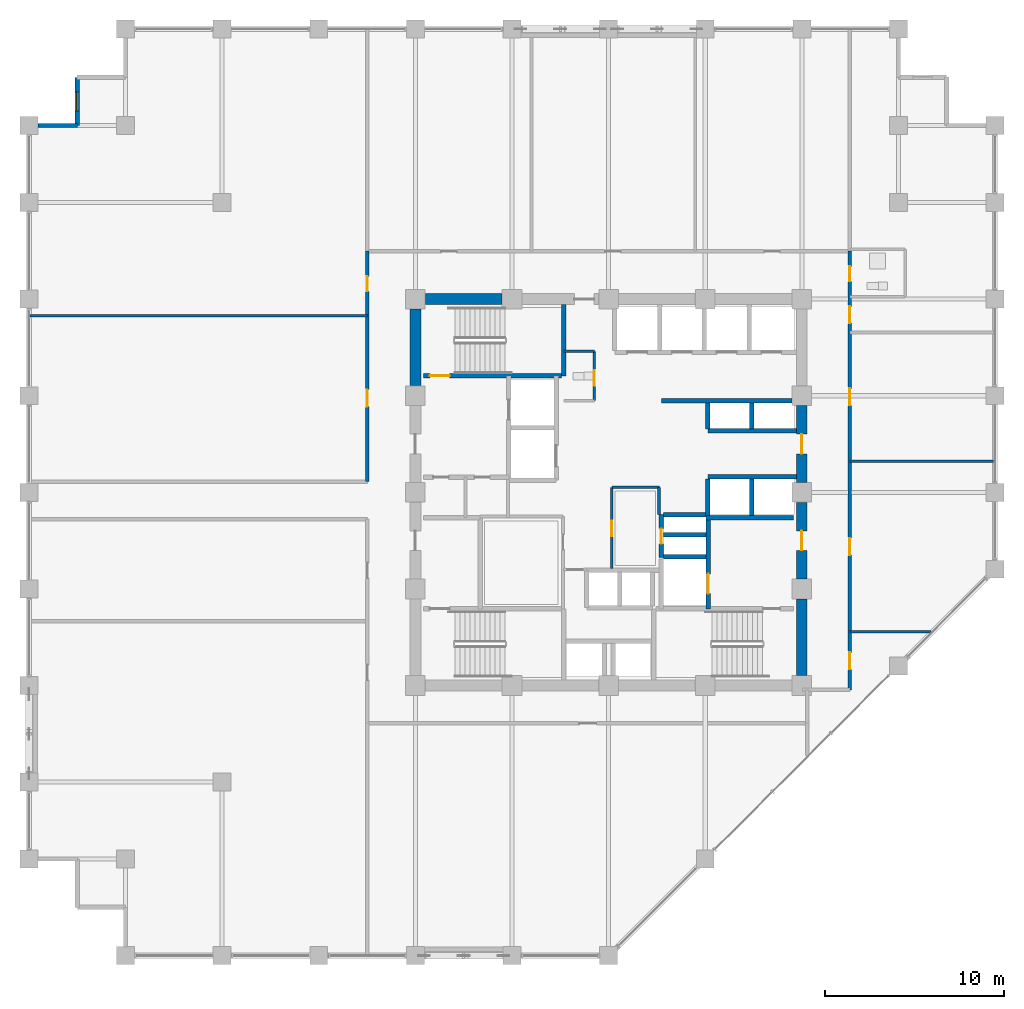
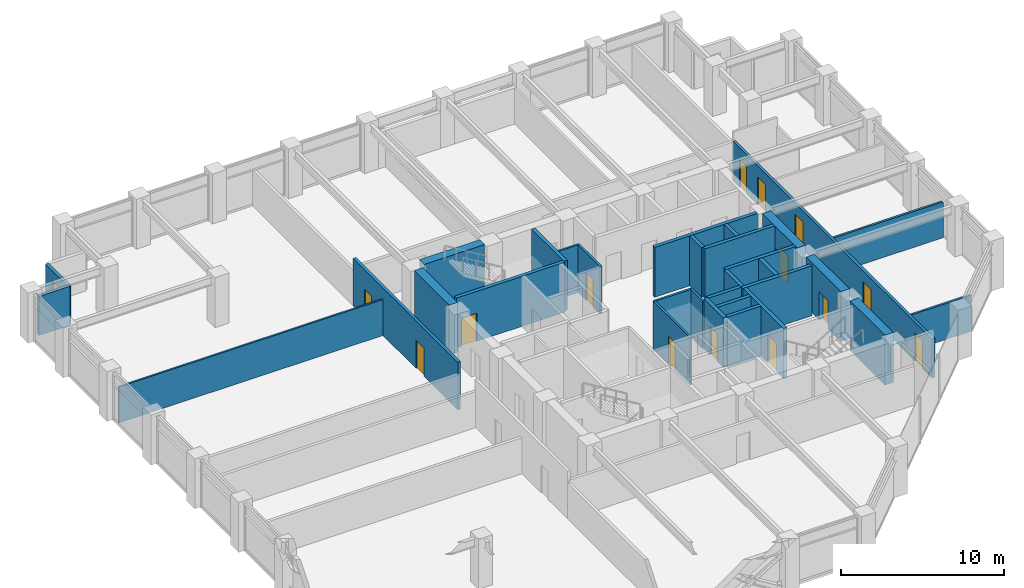
# One storey, part 20 of 23: 32 walls, 14 doors, 1 window, 15 openings.
"""IFC4 building model written with IfcOpenShell, lengths in metres."""

import ifcopenshell
import ifcopenshell.guid

model = None  # the IFC model being written
_history = None  # IfcOwnerHistory: only IFC2X3 demands one
_inside = {}  # id of a spatial element -> (the spatial element, [elements in it])
_under = {}  # id of a project, library or spatial element -> (it, [spatial elements below it])
_declared = {}  # id of a project -> (the project, [libraries it declares])
_typed = {}  # id of a type object -> (the type object, [elements of that type])
_made_of = {}  # id of a material, layer set ... -> (it, [elements and type objects made of it])


def new_model(schema):
    """Start an empty IFC model of exactly this schema.

    Asked for "IFC4X3", IfcOpenShell would pick the latest addendum, in which some entities
    have other attributes; the version numbers below select the first issue.
    IFC2X3 requires an IfcOwnerHistory on every rooted entity: one is made here for all.
    """
    global model, _history
    if schema == "IFC4X3":
        model = ifcopenshell.file(schema_version=(4, 3, 0, 0))
    else:
        model = ifcopenshell.file(schema=schema)
    _inside.clear()
    _under.clear()
    _declared.clear()
    _typed.clear()
    _made_of.clear()
    _history = None
    if model.schema == "IFC2X3":
        org = make("IfcOrganization", Name="unknown")
        user = make(
            "IfcPersonAndOrganization",
            ThePerson=make("IfcPerson", FamilyName="unknown"),
            TheOrganization=org,
        )
        app = make(
            "IfcApplication",
            ApplicationDeveloper=org,
            Version="unknown",
            ApplicationFullName="unknown",
            ApplicationIdentifier="unknown",
        )
        _history = make(
            "IfcOwnerHistory",
            OwningUser=user,
            OwningApplication=app,
            ChangeAction="ADDED",
            CreationDate=0,
        )
    return model


def make(cls, **values):
    """One entity of the class cls with the attributes given. An attribute that is None is left unset."""
    return model.create_entity(
        cls, **{name: value for name, value in values.items() if value is not None}
    )


def rooted(cls, **values):
    """An entity with a GlobalId (a new one), such as an element, a storey or a relation."""
    return make(cls, GlobalId=ifcopenshell.guid.new(), OwnerHistory=_history, **values)


def si_unit(unit_type, name, prefix=None):
    """IfcSIUnit, for example si_unit("LENGTHUNIT", "METRE", prefix="MILLI")."""
    return make("IfcSIUnit", UnitType=unit_type, Prefix=prefix, Name=name)


def assignment(units):
    """IfcUnitAssignment: the units of a project."""
    return None if units is None else make("IfcUnitAssignment", Units=units)


def point(xyz):
    """IfcCartesianPoint."""
    return None if xyz is None else make("IfcCartesianPoint", Coordinates=xyz)


def direction(xyz):
    """IfcDirection."""
    return None if xyz is None else make("IfcDirection", DirectionRatios=xyz)


def frame(location, z_axis=None, x_axis=None):
    """IfcAxis2Placement3D, a coordinate frame: its origin and axes. An axis left out is left unset."""
    return make(
        "IfcAxis2Placement3D",
        Location=point(location),
        Axis=direction(z_axis),
        RefDirection=direction(x_axis),
    )


def frame_2d(location, x_axis=None):
    """IfcAxis2Placement2D, a coordinate frame in the plane: its origin and x axis."""
    return make(
        "IfcAxis2Placement2D", Location=point(location), RefDirection=direction(x_axis)
    )


def origin():
    """The frame at (0, 0, 0) with its axes left unset."""
    return frame((0.0, 0.0, 0.0))


def place(relative_to, where):
    """IfcLocalPlacement: puts the frame where relative to a parent placement (None: the world)."""
    return make(
        "IfcLocalPlacement", PlacementRelTo=relative_to, RelativePlacement=where
    )


def context(
    kind, dimensions, precision=None, world=None, true_north=None, identifier=None
):
    """IfcGeometricRepresentationContext, for example the 3D "Model" context."""
    return make(
        "IfcGeometricRepresentationContext",
        ContextIdentifier=identifier,
        ContextType=kind,
        CoordinateSpaceDimension=dimensions,
        Precision=precision,
        WorldCoordinateSystem=world,
        TrueNorth=true_north,
    )


def subcontext(parent, identifier, kind, view, scale=None):
    """IfcGeometricRepresentationSubContext, for example "Body" below "Model"."""
    return make(
        "IfcGeometricRepresentationSubContext",
        ContextIdentifier=identifier,
        ContextType=kind,
        ParentContext=parent,
        TargetScale=scale,
        TargetView=view,
    )


def project(units=None, contexts=None):
    """IfcProject with its units and contexts."""
    return rooted(
        "IfcProject",
        Name="project",
        RepresentationContexts=contexts,
        UnitsInContext=assignment(units),
    )


def spatial(cls, under=None, at=None, **own):
    """A site, building, storey or space (cls), placed at a placement, below another one or the project."""
    s = rooted(cls, ObjectPlacement=at, **own)
    if under is not None:
        _under.setdefault(under.id(), (under, []))[1].append(s)
    return s


def profile(cls, at=None, kind="AREA", **sizes):
    """A parametric profile (cls). Its sizes go by their IFC names, for example OverallWidth=200.0."""
    return make(cls, ProfileType=kind, Position=at, **sizes)


def rectangle(**sizes):
    """IfcRectangleProfileDef."""
    return profile("IfcRectangleProfileDef", **sizes)


def extrude(swept, where, along, depth):
    """IfcExtrudedAreaSolid: the profile swept, set in the frame where, extruded along a direction by depth."""
    return make(
        "IfcExtrudedAreaSolid",
        SweptArea=swept,
        Position=where,
        ExtrudedDirection=direction(along),
        Depth=depth,
    )


def shape(context_of_items, identifier, shape_type, items):
    """IfcShapeRepresentation: the items that make up one representation, for example the "Body"."""
    return make(
        "IfcShapeRepresentation",
        ContextOfItems=context_of_items,
        RepresentationIdentifier=identifier,
        RepresentationType=shape_type,
        Items=items,
    )


def material(Name=None, Category=None):
    """IfcMaterial."""
    return make("IfcMaterial", Name=Name, Category=Category)


def layer(
    of_material, thickness, ventilated=None, Name=None, Category=None, Priority=None
):
    """IfcMaterialLayer: one layer of a wall or slab, of a material (None: an air gap)."""
    return make(
        "IfcMaterialLayer",
        Material=of_material,
        LayerThickness=thickness,
        IsVentilated=ventilated,
        Name=Name,
        Category=Category,
        Priority=Priority,
    )


def layer_set(layers, Name=None):
    """IfcMaterialLayerSet."""
    return make("IfcMaterialLayerSet", MaterialLayers=layers, LayerSetName=Name)


def made_of(thing, what):
    """Note that an element or type object is made of a material, layer set ...; save() writes the relation."""
    if what is not None:
        _made_of.setdefault(what.id(), (what, []))[1].append(thing)
    return thing


def type_object(cls, material=None, **own):
    """A type object (cls), such as IfcWallType, which elements share."""
    return made_of(rooted(cls, **own), material)


def element(
    cls,
    number,
    at=None,
    inside=None,
    cuts=None,
    type_object=None,
    material=None,
    context=None,
    identifier="Body",
    shape_type=None,
    held_by="IfcProductDefinitionShape",
    body=None,
    shapes=None,
    **own,
):
    """One element of the class cls, such as IfcWall. Its Tag is "e" and its number.

    at: its placement. inside: the storey or other place that contains it. cuts: it is an
    opening in that element (IfcRelVoidsElement). A single representation is given by context,
    identifier, shape_type and body (its items); several are given by shapes. held_by: the class
    of the entity that holds the representations. save() writes the other relations.
    """
    e = rooted(cls, Tag="e%d" % number, ObjectPlacement=at, **own)
    if body is not None:
        shapes = [shape(context, identifier, shape_type, body)]
    if shapes is not None:
        e.Representation = make(held_by, Representations=shapes)
    if inside is not None:
        _inside.setdefault(inside.id(), (inside, []))[1].append(e)
    if cuts is not None:
        rooted(
            "IfcRelVoidsElement", RelatingBuildingElement=cuts, RelatedOpeningElement=e
        )
    if type_object is not None:
        _typed.setdefault(type_object.id(), (type_object, []))[1].append(e)
    return made_of(e, material)


def fill(opening, filler):
    """IfcRelFillsElement: the door or window that sits in an opening."""
    return rooted(
        "IfcRelFillsElement",
        RelatingOpeningElement=opening,
        RelatedBuildingElement=filler,
    )


def aggregate(whole, parts):
    """IfcRelAggregates: a whole, such as a stair, and the parts it consists of."""
    return rooted("IfcRelAggregates", RelatingObject=whole, RelatedObjects=parts)


def save(model, path):
    """Write the relations noted so far, then the file.

    IfcRelAggregates (storeys below a building ...), IfcRelContainedInSpatialStructure (elements
    in a storey), IfcRelDefinesByType, IfcRelAssociatesMaterial and IfcRelDeclares: one each for
    every whole, place, type object, material and project.
    """
    for whole, parts in _under.values():
        aggregate(whole, parts)
    for where, things in _inside.values():
        rooted(
            "IfcRelContainedInSpatialStructure",
            RelatedElements=things,
            RelatingStructure=where,
        )
    for kind, things in _typed.values():
        rooted("IfcRelDefinesByType", RelatedObjects=things, RelatingType=kind)
    for what, things in _made_of.values():
        rooted("IfcRelAssociatesMaterial", RelatedObjects=things, RelatingMaterial=what)
    for by, libraries in _declared.values():
        rooted("IfcRelDeclares", RelatingContext=by, RelatedDefinitions=libraries)
    model.write(path)


model = new_model("IFC4")

# Units and contexts
model_context = context("Model", 3, precision=1e-05, world=origin(), true_north=direction((0.0, 1.0)))
body_context = subcontext(model_context, "Body", "Model", "MODEL_VIEW")
ifc_project = project(units=[si_unit("LENGTHUNIT", "METRE"), si_unit("AREAUNIT", "SQUARE_METRE"), si_unit("VOLUMEUNIT", "CUBIC_METRE"), si_unit("PLANEANGLEUNIT", "RADIAN"), si_unit("MASSUNIT", "GRAM", prefix="KILO")], contexts=[model_context])

# Site, building, storey
site_placement = place(None, origin())
site = spatial("IfcSite", under=ifc_project, at=site_placement, CompositionType="ELEMENT")
building_placement = place(site_placement, origin())
building = spatial("IfcBuilding", under=site, at=building_placement, Name="Surkhivell Harbour Commons", CompositionType="ELEMENT")
storey_placement = place(building_placement, frame((0.0, 0.0, 135.75)))
storey = spatial("IfcBuildingStorey", under=building, at=storey_placement, Name="L35", CompositionType="ELEMENT", Elevation=135.75)

# Walls
ifc_material_1 = material(Name="Concrete C60/75", Category="concrete")
ifc_layer_1 = layer(ifc_material_1, 0.60009765625)
ifc_layer_set_1 = layer_set([ifc_layer_1], Name="Concrete C60/75")
wall_type_1 = type_object("IfcWallType", Name="WAL-CORE-600", PredefinedType="SHEAR", material=ifc_layer_set_1)
for number, where, z_axis, x_axis, name in (
    (1, (-10.239990234375, 10.800048828125, 0.0), (0.0, 0.0, 1.0), (1.0, 0.0, 0.0), "L35 Core Shear Wall North 1"),
    (2, (10.800048828125, -10.239990234375, 0.0), (0.0, 0.0, 1.0), (0.0, 1.0, 0.0), "L35 Core Shear Wall East 1"),
):
    element("IfcWall", number, at=place(storey_placement, frame(where, z_axis=z_axis, x_axis=x_axis)), inside=storey, type_object=wall_type_1, Name=name, PredefinedType="SHEAR", context=body_context, shape_type="SweptSolid", body=[
        extrude(rectangle(XDim=4.280029296875, YDim=0.60009765625, at=frame_2d((2.14013671875, 0.0))), origin(), (0.0, 0.0, 1.0), 3.75),
    ])

# Wall, opening, door
wall_1_placement = place(storey_placement, frame((10.800048828125, -4.840087890625, 0.0), z_axis=(0.0, 0.0, 1.0), x_axis=(0.0, 1.0, 0.0)))
wall_1 = element("IfcWall", 3, at=wall_1_placement, inside=storey, type_object=wall_type_1, Name="L35 Core Shear Wall East 2", PredefinedType="SHEAR", context=body_context, shape_type="SweptSolid", body=[
    extrude(rectangle(XDim=4.280029296875, YDim=0.60009765625, at=frame_2d((2.14013671875, 0.0))), origin(), (0.0, 0.0, 1.0), 3.75),
])
opening_1_placement = place(wall_1_placement, frame((1.590087890625, 0.0, 0.0)))
opening_1 = element("IfcOpeningElement", 4, at=opening_1_placement, cuts=wall_1, Name="Opening ID-1", PredefinedType="OPENING", context=body_context, shape_type="SweptSolid", body=[
    extrude(rectangle(XDim=1.10009765625, YDim=2.10009765625, at=frame_2d((0.550048828125, 1.050048828125))), frame((0.0, 0.31005859375, 0.0), z_axis=(0.0, -1.0, 0.0), x_axis=(1.0, 0.0, 0.0)), (0.0, 0.0, 1.0), 0.6201171875),
])
ifc_material_2 = material(Name="Hardwood-veneered fire-rated door leaf", Category="wood")
door_type_1 = type_object("IfcDoorType", Name="DOR-FD120-1100", OperationType="NOTDEFINED", PredefinedType="DOOR", material=ifc_material_2)
door_1_placement = place(opening_1_placement, origin())
door_1 = element("IfcDoor", 5, at=door_1_placement, inside=storey, type_object=door_type_1, Name="L35 Firefighting Lobby 2 Corridor Door", OperationType="SINGLE_SWING_RIGHT", OverallHeight=2.10009765625, OverallWidth=1.10009765625, PredefinedType="DOOR", context=body_context, shape_type="SweptSolid", body=[
    extrude(rectangle(XDim=1.10009765625, YDim=2.10009765625, at=frame_2d((0.550048828125, 1.050048828125))), frame((0.0, 0.02490234375, 0.0), z_axis=(0.0, -1.0, 0.0), x_axis=(1.0, 0.0, 0.0)), (0.0, 0.0, 1.0), 0.050048828125),
])
fill(opening_1, door_1)

wall_2_placement = place(storey_placement, frame((10.800048828125, 0.56005859375, 0.0), z_axis=(0.0, 0.0, 1.0), x_axis=(0.0, 1.0, 0.0)))
wall_2 = element("IfcWall", 6, at=wall_2_placement, inside=storey, type_object=wall_type_1, Name="L35 Core Shear Wall East 3", PredefinedType="SHEAR", context=body_context, shape_type="SweptSolid", body=[
    extrude(rectangle(XDim=4.280029296875, YDim=0.60009765625, at=frame_2d((2.14013671875, 0.0))), origin(), (0.0, 0.0, 1.0), 3.75),
])
opening_2_placement = place(wall_2_placement, frame((1.590087890625, 0.0, 0.0)))
opening_2 = element("IfcOpeningElement", 7, at=opening_2_placement, cuts=wall_2, Name="Opening ID-2", PredefinedType="OPENING", context=body_context, shape_type="SweptSolid", body=[
    extrude(rectangle(XDim=1.10009765625, YDim=2.10009765625, at=frame_2d((0.550048828125, 1.050048828125))), frame((0.0, 0.31005859375, 0.0), z_axis=(0.0, -1.0, 0.0), x_axis=(1.0, 0.0, 0.0)), (0.0, 0.0, 1.0), 0.6201171875),
])
door_type_2 = type_object("IfcDoorType", Name="DOR-FD60-1100", OperationType="NOTDEFINED", PredefinedType="DOOR", material=ifc_material_2)
door_2_placement = place(opening_2_placement, origin())
door_2 = element("IfcDoor", 8, at=door_2_placement, inside=storey, type_object=door_type_2, Name="L35 Mid-Rise Lobby East Door", OperationType="SINGLE_SWING_LEFT", OverallHeight=2.10009765625, OverallWidth=1.10009765625, PredefinedType="DOOR", context=body_context, shape_type="SweptSolid", body=[
    extrude(rectangle(XDim=1.10009765625, YDim=2.10009765625, at=frame_2d((0.550048828125, 1.050048828125))), frame((0.0, 0.02490234375, 0.0), z_axis=(0.0, -1.0, 0.0), x_axis=(1.0, 0.0, 0.0)), (0.0, 0.0, 1.0), 0.050048828125),
])
fill(opening_2, door_2)

# Wall
wall_3_placement = place(storey_placement, frame((-10.800048828125, 5.9599609375, 0.0), z_axis=(0.0, 0.0, 1.0), x_axis=(0.0, 1.0, 0.0)))
element("IfcWall", 9, at=wall_3_placement, inside=storey, type_object=wall_type_1, Name="L35 Core Shear Wall West 4", PredefinedType="SHEAR", context=body_context, shape_type="SweptSolid", body=[
    extrude(rectangle(XDim=4.280029296875, YDim=0.60009765625, at=frame_2d((2.14013671875, 0.0))), origin(), (0.0, 0.0, 1.0), 3.75),
])

# Wall, opening, window
ifc_material_3 = material(Name="Bronze-ochre cassette precast concrete C45/55", Category="concrete")
ifc_layer_2 = layer(ifc_material_3, 0.239990234375)
ifc_layer_set_2 = layer_set([ifc_layer_2], Name="Bronze-ochre cassette precast concrete C45/55")
wall_type_2 = type_object("IfcWallType", Name="WAL-EXT-OCH240", PredefinedType="STANDARD", material=ifc_layer_set_2)
wall_4_placement = place(storey_placement, frame((-29.699951171875, 23.199951171875, 0.0), z_axis=(0.0, 0.0, 1.0), x_axis=(0.0, -1.0, 0.0)))
wall_4 = element("IfcWall", 10, at=wall_4_placement, inside=storey, type_object=wall_type_2, Name="L35 Serrated Corner Facade Wall 10", PredefinedType="STANDARD", context=body_context, shape_type="SweptSolid", body=[
    extrude(rectangle(XDim=2.699951171875, YDim=0.239990234375, at=frame_2d((1.35009765625, 0.0))), origin(), (0.0, 0.0, 1.0), 2.93310546875),
])
opening_3_placement = place(wall_4_placement, frame((0.824951171875, 0.0, 0.64990234375)))
opening_3 = element("IfcOpeningElement", 11, at=opening_3_placement, cuts=wall_4, Name="Opening WN-11", PredefinedType="OPENING", context=body_context, shape_type="SweptSolid", body=[
    extrude(rectangle(XDim=1.050048828125, YDim=1.5, at=frame_2d((0.52490234375, 0.75))), frame((0.0, 0.1298828125, 0.0), z_axis=(0.0, -1.0, 0.0), x_axis=(1.0, 0.0, 0.0)), (0.0, 0.0, 1.0), 0.260009765625),
])
ifc_material_4 = material(Name="Thermal-break aluminium frame and double low-E glazing", Category="aluminium")
window_type = type_object("IfcWindowType", Name="WIN-SER-1050x1500", PartitioningType="SINGLE_PANEL", PredefinedType="WINDOW", material=ifc_material_4)
window_placement = place(opening_3_placement, origin())
window = element("IfcWindow", 12, at=window_placement, inside=storey, type_object=window_type, Name="L35 Serrated Alcove Window 10", OverallHeight=1.5, OverallWidth=1.050048828125, PartitioningType="SINGLE_PANEL", PredefinedType="WINDOW", context=body_context, shape_type="SweptSolid", body=[
    extrude(rectangle(XDim=1.050048828125, YDim=1.5, at=frame_2d((0.52490234375, 0.75))), frame((0.0, 0.030029296875, 0.0), z_axis=(0.0, -1.0, 0.0), x_axis=(1.0, 0.0, 0.0)), (0.0, 0.0, 1.0), 0.06005859375),
])
fill(opening_3, window)

# Walls
wall_5_placement = place(storey_placement, frame((-29.699951171875, 20.5, 0.0), z_axis=(0.0, 0.0, 1.0), x_axis=(-1.0, 0.0, 0.0)))
element("IfcWall", 13, at=wall_5_placement, inside=storey, type_object=wall_type_2, Name="L35 Serrated Corner Facade Wall 11", PredefinedType="STANDARD", context=body_context, shape_type="SweptSolid", body=[
    extrude(rectangle(XDim=2.2021484375, YDim=0.239990234375, at=frame_2d((1.10107421875, 0.0))), origin(), (0.0, 0.0, 1.0), 2.93310546875),
])
ifc_material_5 = material(Name="Moisture-resistant acoustic stud partition", Category="other")
ifc_layer_3 = layer(ifc_material_5, 0.125)
ifc_layer_set_3 = layer_set([ifc_layer_3], Name="Moisture-resistant acoustic stud partition")
wall_type_3 = type_object("IfcWallType", Name="WAL-INT-125", PredefinedType="PARTITIONING", material=ifc_layer_set_3)
wall_6_placement = place(storey_placement, frame((-32.340087890625, 9.8701171875, 0.0), z_axis=(0.0, 0.0, 1.0), x_axis=(1.0, 0.0, 0.0)))
element("IfcWall", 14, at=wall_6_placement, inside=storey, type_object=wall_type_3, Name="L35 North-West Partition P1", PredefinedType="PARTITIONING", context=body_context, shape_type="SweptSolid", body=[
    extrude(rectangle(XDim=18.860107421875, YDim=0.125, at=frame_2d((9.43017578125, 0.0))), origin(), (0.0, 0.0, 1.0), 2.698974609375),
])

# Wall, opening, door
ifc_material_6 = material(Name="Twin-stud acoustic fireboard partition", Category="other")
ifc_layer_4 = layer(ifc_material_6, 0.14990234375)
ifc_layer_set_4 = layer_set([ifc_layer_4], Name="Twin-stud acoustic fireboard partition")
wall_type_4 = type_object("IfcWallType", Name="WAL-INT-150", PredefinedType="PARTITIONING", material=ifc_layer_set_4)
wall_7_placement = place(storey_placement, frame((-0.800048828125, 5.1201171875, 0.0), z_axis=(0.0, 0.0, 1.0), x_axis=(0.0, 1.0, 0.0)))
wall_7 = element("IfcWall", 15, at=wall_7_placement, inside=storey, type_object=wall_type_4, Name="L35 Core Accessible WC East Wall", PredefinedType="PARTITIONING", context=body_context, shape_type="SweptSolid", body=[
    extrude(rectangle(XDim=2.759765625, YDim=0.14990234375, at=frame_2d((1.3798828125, 0.0))), origin(), (0.0, 0.0, 1.0), 3.570068359375),
])
opening_4_placement = place(wall_7_placement, frame((0.85009765625, 0.0, 0.0)))
opening_4 = element("IfcOpeningElement", 16, at=opening_4_placement, cuts=wall_7, Name="Opening ID-6", PredefinedType="OPENING", context=body_context, shape_type="SweptSolid", body=[
    extrude(rectangle(XDim=0.85009765625, YDim=2.10009765625, at=frame_2d((0.425048828125, 1.050048828125))), frame((0.0, 0.0849609375, 0.0), z_axis=(0.0, -1.0, 0.0), x_axis=(1.0, 0.0, 0.0)), (0.0, 0.0, 1.0), 0.169921875),
])
door_type_3 = type_object("IfcDoorType", Name="DOR-FD30-850", OperationType="NOTDEFINED", PredefinedType="DOOR", material=ifc_material_2)
door_3_placement = place(opening_4_placement, origin())
door_3 = element("IfcDoor", 17, at=door_3_placement, inside=storey, type_object=door_type_3, Name="L35 Floor Accessible WC Door", OperationType="SINGLE_SWING_LEFT", OverallHeight=2.10009765625, OverallWidth=0.85009765625, PredefinedType="DOOR", context=body_context, shape_type="SweptSolid", body=[
    extrude(rectangle(XDim=0.85009765625, YDim=2.10009765625, at=frame_2d((0.425048828125, 1.050048828125))), frame((0.0, 0.02490234375, 0.0), z_axis=(0.0, -1.0, 0.0), x_axis=(1.0, 0.0, 0.0)), (0.0, 0.0, 1.0), 0.050048828125),
])
fill(opening_4, door_3)

# Walls
wall_8_placement = place(storey_placement, frame((-2.47998046875, 7.8798828125, 0.0), z_axis=(0.0, 0.0, 1.0), x_axis=(1.0, 0.0, 0.0)))
element("IfcWall", 18, at=wall_8_placement, inside=storey, type_object=wall_type_4, Name="L35 Core Accessible WC North Wall", PredefinedType="PARTITIONING", context=body_context, shape_type="SweptSolid", body=[
    extrude(rectangle(XDim=1.679931640625, YDim=0.14990234375, at=frame_2d((0.83984375, 0.0))), origin(), (0.0, 0.0, 1.0), 3.570068359375),
])
wall_9_placement = place(storey_placement, frame((2.820068359375, -1.25, 0.0), z_axis=(0.0, 0.0, 1.0), x_axis=(0.0, 1.0, 0.0)))
element("IfcWall", 19, at=wall_9_placement, inside=storey, type_object=wall_type_4, Name="L35 Central Music East Wall", PredefinedType="PARTITIONING", context=body_context, shape_type="SweptSolid", body=[
    extrude(rectangle(XDim=1.530029296875, YDim=0.14990234375, at=frame_2d((0.76513671875, 0.0))), origin(), (0.0, 0.0, 1.0), 3.570068359375),
])
wall_10_placement = place(storey_placement, frame((0.179931640625, 0.280029296875, 0.0), z_axis=(0.0, 0.0, 1.0), x_axis=(1.0, 0.0, 0.0)))
element("IfcWall", 20, at=wall_10_placement, inside=storey, type_object=wall_type_4, Name="L35 Central Music North Wall", PredefinedType="PARTITIONING", context=body_context, shape_type="SweptSolid", body=[
    extrude(rectangle(XDim=2.670166015625, YDim=0.14990234375, at=frame_2d((1.3349609375, 0.0))), origin(), (0.0, 0.0, 1.0), 3.570068359375),
])

# Wall, opening, door
wall_11_placement = place(storey_placement, frame((0.179931640625, -4.25, 0.0), z_axis=(0.0, 0.0, 1.0), x_axis=(0.0, 1.0, 0.0)))
wall_11 = element("IfcWall", 21, at=wall_11_placement, inside=storey, type_object=wall_type_4, Name="L35 Central Music West Wall", PredefinedType="PARTITIONING", context=body_context, shape_type="SweptSolid", body=[
    extrude(rectangle(XDim=4.530029296875, YDim=0.14990234375, at=frame_2d((2.26513671875, 0.0))), origin(), (0.0, 0.0, 1.0), 3.570068359375),
])
opening_5_placement = place(wall_11_placement, frame((1.800048828125, 0.0, 0.0)))
opening_5 = element("IfcOpeningElement", 22, at=opening_5_placement, cuts=wall_11, Name="Opening ID-6", PredefinedType="OPENING", context=body_context, shape_type="SweptSolid", body=[
    extrude(rectangle(XDim=0.85009765625, YDim=2.10009765625, at=frame_2d((0.425048828125, 1.050048828125))), frame((0.0, 0.0849609375, 0.0), z_axis=(0.0, -1.0, 0.0), x_axis=(1.0, 0.0, 0.0)), (0.0, 0.0, 1.0), 0.169921875),
])
door_4_placement = place(opening_5_placement, origin())
door_4 = element("IfcDoor", 23, at=door_4_placement, inside=storey, type_object=door_type_3, Name="L35 Central Music Door", OperationType="SINGLE_SWING_RIGHT", OverallHeight=2.10009765625, OverallWidth=0.85009765625, PredefinedType="DOOR", context=body_context, shape_type="SweptSolid", body=[
    extrude(rectangle(XDim=0.85009765625, YDim=2.10009765625, at=frame_2d((0.425048828125, 1.050048828125))), frame((0.0, 0.02490234375, 0.0), z_axis=(0.0, -1.0, 0.0), x_axis=(1.0, 0.0, 0.0)), (0.0, 0.0, 1.0), 0.050048828125),
])
fill(opening_5, door_4)

# Walls
wall_12_placement = place(storey_placement, frame((13.47998046875, 1.739990234375, 0.0), z_axis=(0.0, 0.0, 1.0), x_axis=(1.0, 0.0, 0.0)))
element("IfcWall", 24, at=wall_12_placement, inside=storey, type_object=wall_type_4, Name="L35 East Partition BDP1", PredefinedType="PARTITIONING", context=body_context, shape_type="SweptSolid", body=[
    extrude(rectangle(XDim=8.06005859375, YDim=0.14990234375, at=frame_2d((4.030029296875, 0.0))), origin(), (0.0, 0.0, 1.0), 2.698974609375),
])
wall_13_placement = place(storey_placement, frame((13.47998046875, -7.800048828125, 0.0), z_axis=(0.0, 0.0, 1.0), x_axis=(1.0, 0.0, 0.0)))
element("IfcWall", 25, at=wall_13_placement, inside=storey, type_object=wall_type_4, Name="L35 East Partition PBOT", PredefinedType="PARTITIONING", context=body_context, shape_type="SweptSolid", body=[
    extrude(rectangle(XDim=4.53515625, YDim=0.14990234375, at=frame_2d((2.267578125, 0.0))), origin(), (0.0, 0.0, 1.0), 2.698974609375),
])

# Wall, openings, doors
ifc_material_7 = material(Name="Autoclaved aerated concrete blockwork and fire plaster", Category="masonry")
ifc_layer_5 = layer(ifc_material_7, 0.199951171875)
ifc_layer_set_5 = layer_set([ifc_layer_5], Name="Autoclaved aerated concrete blockwork and fire plaster")
wall_type_5 = type_object("IfcWallType", Name="WAL-INT-200", PredefinedType="PARTITIONING", material=ifc_layer_set_5)
wall_14_placement = place(storey_placement, frame((13.47998046875, -11.0400390625, 0.0), z_axis=(0.0, 0.0, 1.0), x_axis=(0.0, 1.0, 0.0)))
wall_14 = element("IfcWall", 26, at=wall_14_placement, inside=storey, type_object=wall_type_5, Name="L35 Corridor East Wall", PredefinedType="PARTITIONING", context=body_context, shape_type="SweptSolid", body=[
    extrude(rectangle(XDim=24.52001953125, YDim=0.199951171875, at=frame_2d((12.260009765625, 0.0))), origin(), (0.0, 0.0, 1.0), 2.93310546875),
])
opening_6_placement = place(wall_14_placement, frame((1.139892578125, 0.0, 0.0)))
opening_6 = element("IfcOpeningElement", 27, at=opening_6_placement, cuts=wall_14, Name="Opening ID-4", PredefinedType="OPENING", context=body_context, shape_type="SweptSolid", body=[
    extrude(rectangle(XDim=0.949951171875, YDim=2.10009765625, at=frame_2d((0.47509765625, 1.050048828125))), frame((0.0, 0.10986328125, 0.0), z_axis=(0.0, -1.0, 0.0), x_axis=(1.0, 0.0, 0.0)), (0.0, 0.0, 1.0), 0.219970703125),
])
opening_7_placement = place(wall_14_placement, frame((22.824951171875, 0.0, 0.0)))
opening_7 = element("IfcOpeningElement", 28, at=opening_7_placement, cuts=wall_14, Name="Opening ID-6", PredefinedType="OPENING", context=body_context, shape_type="SweptSolid", body=[
    extrude(rectangle(XDim=0.85009765625, YDim=2.10009765625, at=frame_2d((0.425048828125, 1.050048828125))), frame((0.0, 0.10986328125, 0.0), z_axis=(0.0, -1.0, 0.0), x_axis=(1.0, 0.0, 0.0)), (0.0, 0.0, 1.0), 0.219970703125),
])
opening_8_placement = place(wall_14_placement, frame((20.489990234375, 0.0, 0.0)))
opening_8 = element("IfcOpeningElement", 29, at=opening_8_placement, cuts=wall_14, Name="Opening ID-4", PredefinedType="OPENING", context=body_context, shape_type="SweptSolid", body=[
    extrude(rectangle(XDim=0.949951171875, YDim=2.10009765625, at=frame_2d((0.47509765625, 1.050048828125))), frame((0.0, 0.10986328125, 0.0), z_axis=(0.0, -1.0, 0.0), x_axis=(1.0, 0.0, 0.0)), (0.0, 0.0, 1.0), 0.219970703125),
])
opening_9_placement = place(wall_14_placement, frame((7.530029296875, 0.0, 0.0)))
opening_9 = element("IfcOpeningElement", 30, at=opening_9_placement, cuts=wall_14, Name="Opening ID-4", PredefinedType="OPENING", context=body_context, shape_type="SweptSolid", body=[
    extrude(rectangle(XDim=0.949951171875, YDim=2.10009765625, at=frame_2d((0.47509765625, 1.050048828125))), frame((0.0, 0.10986328125, 0.0), z_axis=(0.0, -1.0, 0.0), x_axis=(1.0, 0.0, 0.0)), (0.0, 0.0, 1.0), 0.219970703125),
])
opening_10_placement = place(wall_14_placement, frame((15.89501953125, 0.0, 0.0)))
opening_10 = element("IfcOpeningElement", 31, at=opening_10_placement, cuts=wall_14, Name="Opening ID-4", PredefinedType="OPENING", context=body_context, shape_type="SweptSolid", body=[
    extrude(rectangle(XDim=0.949951171875, YDim=2.10009765625, at=frame_2d((0.47509765625, 1.050048828125))), frame((0.0, 0.10986328125, 0.0), z_axis=(0.0, -1.0, 0.0), x_axis=(1.0, 0.0, 0.0)), (0.0, 0.0, 1.0), 0.219970703125),
])
door_5_placement = place(opening_7_placement, origin())
door_5 = element("IfcDoor", 32, at=door_5_placement, inside=storey, type_object=door_type_3, Name="L35 Communal Shower Bathroom East Door", OperationType="SINGLE_SWING_LEFT", OverallHeight=2.10009765625, OverallWidth=0.85009765625, PredefinedType="DOOR", context=body_context, shape_type="SweptSolid", body=[
    extrude(rectangle(XDim=0.85009765625, YDim=2.10009765625, at=frame_2d((0.425048828125, 1.050048828125))), frame((0.0, 0.02490234375, 0.0), z_axis=(0.0, -1.0, 0.0), x_axis=(1.0, 0.0, 0.0)), (0.0, 0.0, 1.0), 0.050048828125),
])
fill(opening_7, door_5)
door_type_4 = type_object("IfcDoorType", Name="DOR-FD60-950", OperationType="NOTDEFINED", PredefinedType="DOOR", material=ifc_material_2)
door_6_placement = place(opening_6_placement, origin())
door_6 = element("IfcDoor", 33, at=door_6_placement, inside=storey, type_object=door_type_4, Name="L35 Shared Communal Kitchen East Door", OperationType="SINGLE_SWING_RIGHT", OverallHeight=2.10009765625, OverallWidth=0.949951171875, PredefinedType="DOOR", context=body_context, shape_type="SweptSolid", body=[
    extrude(rectangle(XDim=0.949951171875, YDim=2.10009765625, at=frame_2d((0.47509765625, 1.050048828125))), frame((0.0, 0.02490234375, 0.0), z_axis=(0.0, -1.0, 0.0), x_axis=(1.0, 0.0, 0.0)), (0.0, 0.0, 1.0), 0.050048828125),
])
fill(opening_6, door_6)
door_7_placement = place(opening_8_placement, origin())
door_7 = element("IfcDoor", 34, at=door_7_placement, inside=storey, type_object=door_type_4, Name="L35 Academic Reading Commons East Door", OperationType="SINGLE_SWING_RIGHT", OverallHeight=2.10009765625, OverallWidth=0.949951171875, PredefinedType="DOOR", context=body_context, shape_type="SweptSolid", body=[
    extrude(rectangle(XDim=0.949951171875, YDim=2.10009765625, at=frame_2d((0.47509765625, 1.050048828125))), frame((0.0, 0.02490234375, 0.0), z_axis=(0.0, -1.0, 0.0), x_axis=(1.0, 0.0, 0.0)), (0.0, 0.0, 1.0), 0.050048828125),
])
fill(opening_8, door_7)
door_8_placement = place(opening_9_placement, origin())
door_8 = element("IfcDoor", 35, at=door_8_placement, inside=storey, type_object=door_type_4, Name="L35 Hostel Cluster Bedroom 1 East Door", OperationType="SINGLE_SWING_LEFT", OverallHeight=2.10009765625, OverallWidth=0.949951171875, PredefinedType="DOOR", context=body_context, shape_type="SweptSolid", body=[
    extrude(rectangle(XDim=0.949951171875, YDim=2.10009765625, at=frame_2d((0.47509765625, 1.050048828125))), frame((0.0, 0.02490234375, 0.0), z_axis=(0.0, -1.0, 0.0), x_axis=(1.0, 0.0, 0.0)), (0.0, 0.0, 1.0), 0.050048828125),
])
fill(opening_9, door_8)
door_9_placement = place(opening_10_placement, origin())
door_9 = element("IfcDoor", 36, at=door_9_placement, inside=storey, type_object=door_type_4, Name="L35 Co-Living Dormitory Bedroom 2 East Door", OperationType="SINGLE_SWING_RIGHT", OverallHeight=2.10009765625, OverallWidth=0.949951171875, PredefinedType="DOOR", context=body_context, shape_type="SweptSolid", body=[
    extrude(rectangle(XDim=0.949951171875, YDim=2.10009765625, at=frame_2d((0.47509765625, 1.050048828125))), frame((0.0, 0.02490234375, 0.0), z_axis=(0.0, -1.0, 0.0), x_axis=(1.0, 0.0, 0.0)), (0.0, 0.0, 1.0), 0.050048828125),
])
fill(opening_10, door_9)

wall_15_placement = place(storey_placement, frame((-13.47998046875, 0.60009765625, 0.0), z_axis=(0.0, 0.0, 1.0), x_axis=(0.0, 1.0, 0.0)))
wall_15 = element("IfcWall", 37, at=wall_15_placement, inside=storey, type_object=wall_type_5, Name="L35 Corridor West-Upper Wall", PredefinedType="PARTITIONING", context=body_context, shape_type="SweptSolid", body=[
    extrude(rectangle(XDim=12.8798828125, YDim=0.199951171875, at=frame_2d((6.43994140625, 0.0))), origin(), (0.0, 0.0, 1.0), 3.570068359375),
])
opening_11_placement = place(wall_15_placement, frame((4.18505859375, 0.0, 0.0)))
opening_11 = element("IfcOpeningElement", 38, at=opening_11_placement, cuts=wall_15, Name="Opening ID-4", PredefinedType="OPENING", context=body_context, shape_type="SweptSolid", body=[
    extrude(rectangle(XDim=0.949951171875, YDim=2.10009765625, at=frame_2d((0.47509765625, 1.050048828125))), frame((0.0, 0.10986328125, 0.0), z_axis=(0.0, -1.0, 0.0), x_axis=(1.0, 0.0, 0.0)), (0.0, 0.0, 1.0), 0.219970703125),
])
opening_12_placement = place(wall_15_placement, frame((10.625, 0.0, 0.0)))
opening_12 = element("IfcOpeningElement", 39, at=opening_12_placement, cuts=wall_15, Name="Opening ID-6", PredefinedType="OPENING", context=body_context, shape_type="SweptSolid", body=[
    extrude(rectangle(XDim=0.85009765625, YDim=2.10009765625, at=frame_2d((0.425048828125, 1.050048828125))), frame((0.0, 0.10986328125, 0.0), z_axis=(0.0, -1.0, 0.0), x_axis=(1.0, 0.0, 0.0)), (0.0, 0.0, 1.0), 0.219970703125),
])
door_10_placement = place(opening_12_placement, origin())
door_10 = element("IfcDoor", 40, at=door_10_placement, inside=storey, type_object=door_type_3, Name="L35 Resident Advisory Reception Desk North-West Door", OperationType="SINGLE_SWING_RIGHT", OverallHeight=2.10009765625, OverallWidth=0.85009765625, PredefinedType="DOOR", context=body_context, shape_type="SweptSolid", body=[
    extrude(rectangle(XDim=0.85009765625, YDim=2.10009765625, at=frame_2d((0.425048828125, 1.050048828125))), frame((0.0, 0.02490234375, 0.0), z_axis=(0.0, -1.0, 0.0), x_axis=(1.0, 0.0, 0.0)), (0.0, 0.0, 1.0), 0.050048828125),
])
fill(opening_12, door_10)
door_11_placement = place(opening_11_placement, origin())
door_11 = element("IfcDoor", 41, at=door_11_placement, inside=storey, type_object=door_type_4, Name="L35 Zone Concierge Reception Foyer North-West Door", OperationType="SINGLE_SWING_LEFT", OverallHeight=2.10009765625, OverallWidth=0.949951171875, PredefinedType="DOOR", context=body_context, shape_type="SweptSolid", body=[
    extrude(rectangle(XDim=0.949951171875, YDim=2.10009765625, at=frame_2d((0.47509765625, 1.050048828125))), frame((0.0, 0.02490234375, 0.0), z_axis=(0.0, -1.0, 0.0), x_axis=(1.0, 0.0, 0.0)), (0.0, 0.0, 1.0), 0.050048828125),
])
fill(opening_11, door_11)

# Walls
ifc_material_8 = material(Name="Concrete C50/60", Category="concrete")
ifc_layer_6 = layer(ifc_material_8, 0.25)
ifc_layer_set_6 = layer_set([ifc_layer_6], Name="Concrete C50/60")
wall_type_6 = type_object("IfcWallType", Name="WAL-SHAFT-250", PredefinedType="SHEAR", material=ifc_layer_set_6)
wall_16_placement = place(storey_placement, frame((5.43994140625, -1.419921875, 0.0), z_axis=(0.0, 0.0, 1.0), x_axis=(1.0, 0.0, 0.0)))
element("IfcWall", 42, at=wall_16_placement, inside=storey, type_object=wall_type_6, Name="L35 Firefighting Lobby 2 North Wall", PredefinedType="SHEAR", context=body_context, shape_type="SweptSolid", body=[
    extrude(rectangle(XDim=4.900146484375, YDim=0.25, at=frame_2d((2.4501953125, 0.0))), origin(), (0.0, 0.0, 1.0), 3.75),
])
wall_17_placement = place(storey_placement, frame((3.080078125, -3.60009765625, 0.0), z_axis=(0.0, 0.0, 1.0), x_axis=(1.0, 0.0, 0.0)))
element("IfcWall", 43, at=wall_17_placement, inside=storey, type_object=wall_type_6, Name="L35 FFL2 North Shaft Wall", PredefinedType="SHEAR", context=body_context, shape_type="SweptSolid", body=[
    extrude(rectangle(XDim=2.369873046875, YDim=0.25, at=frame_2d((1.18505859375, 0.0))), origin(), (0.0, 0.0, 1.0), 3.75),
])

# Wall, opening, door
wall_18_placement = place(storey_placement, frame((5.580078125, -6.510009765625, 0.0), z_axis=(0.0, 0.0, 1.0), x_axis=(0.0, 1.0, 0.0)))
wall_18 = element("IfcWall", 44, at=wall_18_placement, inside=storey, type_object=wall_type_6, Name="L35 Firefighting Lobby 2 West Shaft Wall", PredefinedType="SHEAR", context=body_context, shape_type="SweptSolid", body=[
    extrude(rectangle(XDim=5.090087890625, YDim=0.25, at=frame_2d((2.544921875, 0.0))), origin(), (0.0, 0.0, 1.0), 3.75),
])
opening_13_placement = place(wall_18_placement, frame((0.85009765625, 0.0, 0.0)))
opening_13 = element("IfcOpeningElement", 45, at=opening_13_placement, cuts=wall_18, Name="Opening LD-1", PredefinedType="OPENING", context=body_context, shape_type="SweptSolid", body=[
    extrude(rectangle(XDim=1.10009765625, YDim=2.10009765625, at=frame_2d((0.550048828125, 1.050048828125))), frame((0.0, 0.135009765625, 0.0), z_axis=(0.0, -1.0, 0.0), x_axis=(1.0, 0.0, 0.0)), (0.0, 0.0, 1.0), 0.27001953125),
])
ifc_material_9 = material(Name="Brushed stainless steel S355", Category="steel")
door_type_5 = type_object("IfcDoorType", Name="DOR-LD-1100", OperationType="SLIDING_TO_LEFT", PredefinedType="DOOR", material=ifc_material_9)
door_12_placement = place(opening_13_placement, origin())
door_12 = element("IfcDoor", 46, at=door_12_placement, inside=storey, type_object=door_type_5, Name="L35 Lift Landing Door LD-FFL2", OperationType="SLIDING_TO_RIGHT", OverallHeight=2.10009765625, OverallWidth=1.10009765625, PredefinedType="DOOR", context=body_context, shape_type="SweptSolid", body=[
    extrude(rectangle(XDim=1.10009765625, YDim=2.10009765625, at=frame_2d((0.550048828125, 1.050048828125))), frame((0.0, 0.02490234375, 0.0), z_axis=(0.0, -1.0, 0.0), x_axis=(1.0, 0.0, 0.0)), (0.0, 0.0, 1.0), 0.050048828125),
])
fill(opening_13, door_12)

# Walls
wall_19_placement = place(storey_placement, frame((2.949951171875, 5.1201171875, 0.0), z_axis=(0.0, 0.0, 1.0), x_axis=(1.0, 0.0, 0.0)))
element("IfcWall", 47, at=wall_19_placement, inside=storey, type_object=wall_type_6, Name="L35 Low-Rise Lobby South Wall", PredefinedType="SHEAR", context=body_context, shape_type="SweptSolid", body=[
    extrude(rectangle(XDim=7.300048828125, YDim=0.25, at=frame_2d((3.64990234375, 0.0))), origin(), (0.0, 0.0, 1.0), 3.75),
])
for number, where, z_axis, x_axis, name in (
    (48, (5.550048828125, 3.550048828125, 0.0), (0.0, 0.0, 1.0), (0.0, 1.0, 0.0), "L35 Mid-Rise Shaft Side Wall N"),
    (49, (8.0, 3.550048828125, 0.0), (0.0, 0.0, 1.0), (0.0, 1.0, 0.0), "L35 Mid-Rise Shaft Side Wall N"),
):
    element("IfcWall", number, at=place(storey_placement, frame(where, z_axis=z_axis, x_axis=x_axis)), inside=storey, type_object=wall_type_6, Name=name, PredefinedType="SHEAR", context=body_context, shape_type="SweptSolid", body=[
        extrude(rectangle(XDim=1.449951171875, YDim=0.25, at=frame_2d((0.72509765625, 0.0))), origin(), (0.0, 0.0, 1.0), 3.75),
    ])
for number, where, z_axis, x_axis, name in (
    (50, (5.550048828125, -1.300048828125, 0.0), (0.0, 0.0, 1.0), (0.0, 1.0, 0.0), "L35 Mid-Rise Shaft Side Wall S"),
    (51, (8.0, -1.300048828125, 0.0), (0.0, 0.0, 1.0), (0.0, 1.0, 0.0), "L35 Mid-Rise Shaft Side Wall S"),
):
    element("IfcWall", number, at=place(storey_placement, frame(where, z_axis=z_axis, x_axis=x_axis)), inside=storey, type_object=wall_type_6, Name=name, PredefinedType="SHEAR", context=body_context, shape_type="SweptSolid", body=[
        extrude(rectangle(XDim=2.0400390625, YDim=0.25, at=frame_2d((1.02001953125, 0.0))), origin(), (0.0, 0.0, 1.0), 3.75),
    ])
for number, where, z_axis, x_axis, name in (
    (52, (5.550048828125, 3.429931640625, 0.0), (0.0, 0.0, 1.0), (1.0, 0.0, 0.0), "L35 Mid-Rise North Front Shaft Wall"),
    (53, (5.550048828125, 0.8701171875, 0.0), (0.0, 0.0, 1.0), (1.0, 0.0, 0.0), "L35 Mid-Rise South Front Shaft Wall"),
):
    element("IfcWall", number, at=place(storey_placement, frame(where, z_axis=z_axis, x_axis=x_axis)), inside=storey, type_object=wall_type_6, Name=name, PredefinedType="SHEAR", context=body_context, shape_type="SweptSolid", body=[
        extrude(rectangle(XDim=4.949951171875, YDim=0.25, at=frame_2d((2.47509765625, 0.0))), origin(), (0.0, 0.0, 1.0), 3.75),
    ])
for number, where, z_axis, x_axis, name in (
    (54, (3.080078125, -2.3798828125, 0.0), (0.0, 0.0, 1.0), (1.0, 0.0, 0.0), "L35 Riser Divider Wall"),
    (55, (3.080078125, -1.25, 0.0), (0.0, 0.0, 1.0), (1.0, 0.0, 0.0), "L35 Riser North Wall"),
):
    element("IfcWall", number, at=place(storey_placement, frame(where, z_axis=z_axis, x_axis=x_axis)), inside=storey, type_object=wall_type_6, Name=name, PredefinedType="SHEAR", context=body_context, shape_type="SweptSolid", body=[
        extrude(rectangle(XDim=2.369873046875, YDim=0.25, at=frame_2d((1.18505859375, 0.0))), origin(), (0.0, 0.0, 1.0), 3.75),
    ])

# Wall, opening, door
wall_20_placement = place(storey_placement, frame((2.949951171875, -3.64990234375, 0.0), z_axis=(0.0, 0.0, 1.0), x_axis=(0.0, 1.0, 0.0)))
wall_20 = element("IfcWall", 56, at=wall_20_placement, inside=storey, type_object=wall_type_6, Name="L35 Riser Shaft West Wall", PredefinedType="SHEAR", context=body_context, shape_type="SweptSolid", body=[
    extrude(rectangle(XDim=2.39990234375, YDim=0.25, at=frame_2d((1.199951171875, 0.0))), origin(), (0.0, 0.0, 1.0), 3.75),
])
opening_14_placement = place(wall_20_placement, frame((0.77490234375, 0.0, 0.0)))
opening_14 = element("IfcOpeningElement", 57, at=opening_14_placement, cuts=wall_20, Name="Opening ID-6", PredefinedType="OPENING", context=body_context, shape_type="SweptSolid", body=[
    extrude(rectangle(XDim=0.85009765625, YDim=2.10009765625, at=frame_2d((0.425048828125, 1.050048828125))), frame((0.0, 0.135009765625, 0.0), z_axis=(0.0, -1.0, 0.0), x_axis=(1.0, 0.0, 0.0)), (0.0, 0.0, 1.0), 0.27001953125),
])
door_13_placement = place(opening_14_placement, origin())
door_13 = element("IfcDoor", 58, at=door_13_placement, inside=storey, type_object=door_type_3, Name="L35 Electrical Riser Access Door", OperationType="SINGLE_SWING_LEFT", OverallHeight=2.10009765625, OverallWidth=0.85009765625, PredefinedType="DOOR", context=body_context, shape_type="SweptSolid", body=[
    extrude(rectangle(XDim=0.85009765625, YDim=2.10009765625, at=frame_2d((0.425048828125, 1.050048828125))), frame((0.0, 0.02490234375, 0.0), z_axis=(0.0, -1.0, 0.0), x_axis=(1.0, 0.0, 0.0)), (0.0, 0.0, 1.0), 0.050048828125),
])
fill(opening_14, door_13)

# Wall
wall_21_placement = place(storey_placement, frame((-2.510009765625, 6.510009765625, 0.0), z_axis=(0.0, 0.0, 1.0), x_axis=(0.0, 1.0, 0.0)))
element("IfcWall", 59, at=wall_21_placement, inside=storey, type_object=wall_type_6, Name="L35 Stair ST1 East Shear Wall", PredefinedType="SHEAR", context=body_context, shape_type="SweptSolid", body=[
    extrude(rectangle(XDim=3.989990234375, YDim=0.25, at=frame_2d((1.9951171875, 0.0))), origin(), (0.0, 0.0, 1.0), 3.75),
])

# Wall, opening, door
wall_22_placement = place(storey_placement, frame((-10.340087890625, 6.510009765625, 0.0), z_axis=(0.0, 0.0, 1.0), x_axis=(1.0, 0.0, 0.0)))
wall_22 = element("IfcWall", 60, at=wall_22_placement, inside=storey, type_object=wall_type_6, Name="L35 Stair ST1 South Shear Wall", PredefinedType="SHEAR", context=body_context, shape_type="SweptSolid", body=[
    extrude(rectangle(XDim=7.7001953125, YDim=0.25, at=frame_2d((3.85009765625, 0.0))), origin(), (0.0, 0.0, 1.0), 3.75),
])
opening_15_placement = place(wall_22_placement, frame((0.35009765625, 0.0, 0.0)))
opening_15 = element("IfcOpeningElement", 61, at=opening_15_placement, cuts=wall_22, Name="Opening ID-2", PredefinedType="OPENING", context=body_context, shape_type="SweptSolid", body=[
    extrude(rectangle(XDim=1.10009765625, YDim=2.10009765625, at=frame_2d((0.550048828125, 1.050048828125))), frame((0.0, 0.135009765625, 0.0), z_axis=(0.0, -1.0, 0.0), x_axis=(1.0, 0.0, 0.0)), (0.0, 0.0, 1.0), 0.27001953125),
])
door_14_placement = place(opening_15_placement, origin())
door_14 = element("IfcDoor", 62, at=door_14_placement, inside=storey, type_object=door_type_2, Name="L35 Stair ST1 Exit Door", OperationType="SINGLE_SWING_LEFT", OverallHeight=2.10009765625, OverallWidth=1.10009765625, PredefinedType="DOOR", context=body_context, shape_type="SweptSolid", body=[
    extrude(rectangle(XDim=1.10009765625, YDim=2.10009765625, at=frame_2d((0.550048828125, 1.050048828125))), frame((0.0, 0.02490234375, 0.0), z_axis=(0.0, -1.0, 0.0), x_axis=(1.0, 0.0, 0.0)), (0.0, 0.0, 1.0), 0.050048828125),
])
fill(opening_15, door_14)

save(model, "model.ifc")
